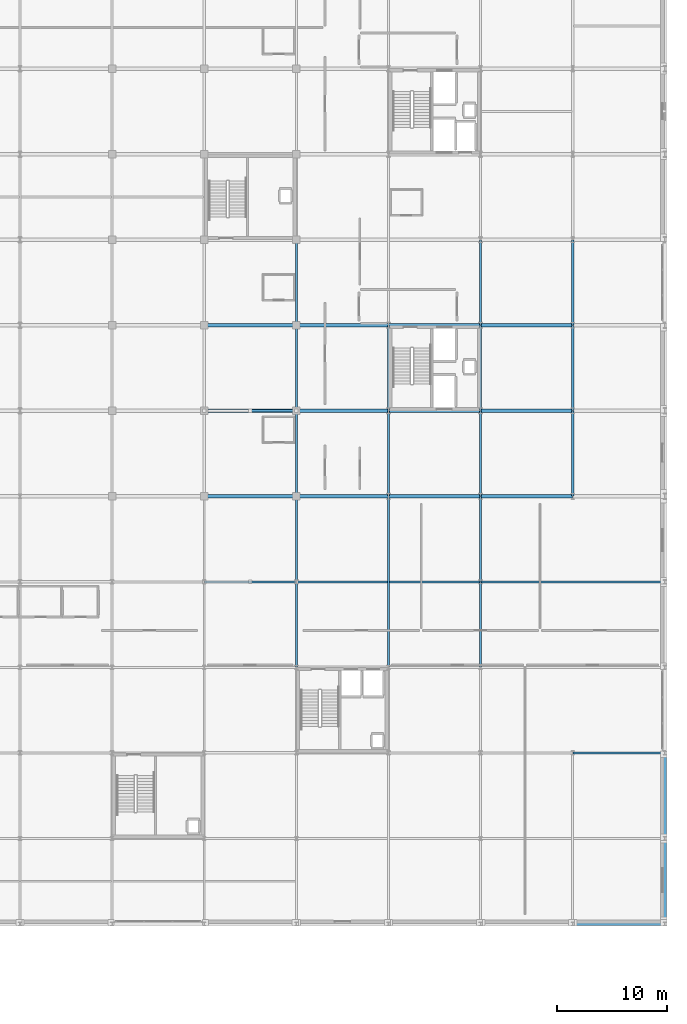
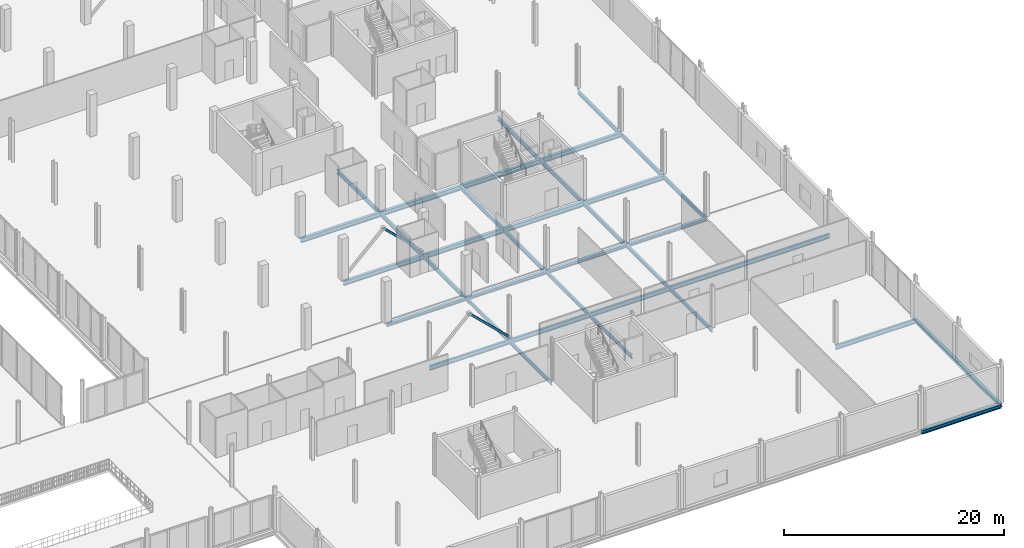
# One storey, part 51 of 98: 35 beams, 2 members.
"""IFC4 building model written with IfcOpenShell, lengths in metres."""

from ifc_helpers import new_model, si_unit, direction, frame, origin, origin_2d, place, context, subcontext, project, spatial, hollow_rectangle, i_section, extrude, material, material_profile, profile_set, type_object, element, save


model = new_model("IFC4")

# Units and contexts
model_context = context("Model", 3, precision=1e-05, world=origin(), true_north=direction((0.0, 1.0)))
body_context = subcontext(model_context, "Body", "Model", "MODEL_VIEW")
ifc_project = project(units=[si_unit("LENGTHUNIT", "METRE"), si_unit("AREAUNIT", "SQUARE_METRE"), si_unit("VOLUMEUNIT", "CUBIC_METRE"), si_unit("PLANEANGLEUNIT", "RADIAN"), si_unit("MASSUNIT", "GRAM", prefix="KILO")], contexts=[model_context])

# Site, building, storey
site_placement = place(None, origin())
site = spatial("IfcSite", under=ifc_project, at=site_placement, CompositionType="ELEMENT")
building_placement = place(site_placement, origin())
building = spatial("IfcBuilding", under=site, at=building_placement, Name="Nabrawat Pavilion Hospital", CompositionType="ELEMENT")
storey_placement = place(building_placement, frame((0.0, 0.0, 10.199951171875)))
storey = spatial("IfcBuildingStorey", under=building, at=storey_placement, Name="L02", CompositionType="ELEMENT", Elevation=10.199951171875)

# Members
ifc_material = material(Name="Steel S355", Category="steel")
ifc_material_profile_1 = material_profile(ifc_material, hollow_rectangle(XDim=0.199951171875, YDim=0.199951171875, WallThickness=0.012451171875, at=origin_2d()), Name="SHS 200x200x12.5")
ifc_profile_set_1 = profile_set([ifc_material_profile_1], Name="Steel S355")
member_type = type_object("IfcMemberType", Name="Mid Seismic Chevron Brace SHS 200x200x12.5", PredefinedType="BRACE", material=ifc_profile_set_1)
for number, where, z_axis, x_axis, name in (
    (1, (159.60009765625, 31.199951171875, 0.050048828125), (-0.719856242377, 0.0, 0.694123180934), (0.0, -1.0, 0.0), "L02 Seismic Concentric Chevron Brace 042"),
    (2, (159.60009765625, 46.800048828125, 0.050048828125), (-0.719856242377, 0.0, 0.694123180934), (0.0, -1.0, 0.0), "L02 Seismic Concentric Chevron Brace 054"),
):
    element("IfcMember", number, at=place(storey_placement, frame(where, z_axis=z_axis, x_axis=x_axis)), inside=storey, type_object=member_type, Name=name, PredefinedType="BRACE", context=body_context, shape_type="SweptSolid", body=[
        extrude(hollow_rectangle(XDim=0.199951171875, YDim=0.199951171875, WallThickness=0.012451171875, at=origin_2d()), origin(), (0.0, 0.0, 1.0), 5.834716796875),
    ])

# Beams
ifc_material_profile_2 = material_profile(ifc_material, i_section(OverallWidth=0.300048828125, OverallDepth=0.389892578125, WebThickness=0.010986328125, FlangeThickness=0.01904296875, FilletRadius=0.027099609375, at=origin_2d()), Name="HEA 400")
ifc_profile_set_2 = profile_set([ifc_material_profile_2], Name="Steel S355")
beam_type_1 = type_object("IfcBeamType", Name="Perimeter Moment Spandrel Beam HEA 400", PredefinedType="SPANDREL", material=ifc_profile_set_2)
beam_1_placement = place(storey_placement, frame((184.820068359375, 0.0, -0.425048828125), z_axis=(1.0, 0.0, 0.0), x_axis=(0.0, 1.0, 0.0)))
element("IfcBeam", 3, at=beam_1_placement, inside=storey, type_object=beam_type_1, Name="L02 Primary X Girder 941", PredefinedType="SPANDREL", context=body_context, shape_type="SweptSolid", body=[
    extrude(i_section(OverallWidth=0.300048828125, OverallDepth=0.389892578125, WebThickness=0.010986328125, FlangeThickness=0.01904296875, FilletRadius=0.027099609375, at=origin_2d()), origin(), (0.0, 0.0, 1.0), 8.35986328125),
])
for number, where, z_axis, x_axis, name in (
    (4, (193.199951171875, 0.02001953125, -0.425048828125), (0.0, 1.0, 0.0), (-1.0, 0.0, 0.0), "L02 Primary Y Beam 1389"),
    (5, (193.199951171875, 7.820068359375, -0.425048828125), (0.0, 1.0, 0.0), (-1.0, 0.0, 0.0), "L02 Primary Y Beam 1390"),
):
    element("IfcBeam", number, at=place(storey_placement, frame(where, z_axis=z_axis, x_axis=x_axis)), inside=storey, type_object=beam_type_1, Name=name, PredefinedType="SPANDREL", context=body_context, shape_type="SweptSolid", body=[
        extrude(i_section(OverallWidth=0.300048828125, OverallDepth=0.389892578125, WebThickness=0.010986328125, FlangeThickness=0.01904296875, FilletRadius=0.027099609375, at=origin_2d()), origin(), (0.0, 0.0, 1.0), 7.760009765625),
    ])
ifc_material_profile_3 = material_profile(ifc_material, i_section(OverallWidth=0.300048828125, OverallDepth=0.5, WebThickness=0.014404296875, FlangeThickness=0.028076171875, FilletRadius=0.027099609375, at=origin_2d()), Name="HEB 500")
ifc_profile_set_3 = profile_set([ifc_material_profile_3], Name="Steel S355")
beam_type_2 = type_object("IfcBeamType", Name="Primary Floor Girder HEB 500", PredefinedType="USERDEFINED", material=ifc_profile_set_3)
beam_2_placement = place(storey_placement, frame((151.219970703125, 46.800048828125, -0.5), z_axis=(1.0, 0.0, 0.0), x_axis=(0.0, 1.0, 0.0)))
element("IfcBeam", 6, at=beam_2_placement, inside=storey, type_object=beam_type_2, Name="L02 Primary X Girder 1021", ObjectType="GIRDER", PredefinedType="USERDEFINED", context=body_context, shape_type="SweptSolid", body=[
    extrude(i_section(OverallWidth=0.300048828125, OverallDepth=0.5, WebThickness=0.014404296875, FlangeThickness=0.028076171875, FilletRadius=0.027099609375, at=origin_2d()), origin(), (0.0, 0.0, 1.0), 8.360107421875),
])
for number, where, z_axis, x_axis, name in (
    (7, (159.6201171875, 46.800048828125, -0.5), (1.0, 0.0, 0.0), (0.0, 1.0, 0.0), "L02 Primary X Girder 1022"),
    (8, (168.02001953125, 46.800048828125, -0.5), (1.0, 0.0, 0.0), (0.0, 1.0, 0.0), "L02 Primary X Girder 1023"),
):
    element("IfcBeam", number, at=place(storey_placement, frame(where, z_axis=z_axis, x_axis=x_axis)), inside=storey, type_object=beam_type_2, Name=name, ObjectType="GIRDER", PredefinedType="USERDEFINED", context=body_context, shape_type="SweptSolid", body=[
        extrude(i_section(OverallWidth=0.300048828125, OverallDepth=0.5, WebThickness=0.014404296875, FlangeThickness=0.028076171875, FilletRadius=0.027099609375, at=origin_2d()), origin(), (0.0, 0.0, 1.0), 8.35986328125),
    ])
for number, where, z_axis, x_axis, name in (
    (9, (176.419921875, 46.800048828125, -0.5), (1.0, 0.0, 0.0), (0.0, 1.0, 0.0), "L02 Primary X Girder 1024"),
    (10, (151.219970703125, 54.60009765625, -0.5), (1.0, 0.0, 0.0), (0.0, 1.0, 0.0), "L02 Primary X Girder 1035"),
):
    element("IfcBeam", number, at=place(storey_placement, frame(where, z_axis=z_axis, x_axis=x_axis)), inside=storey, type_object=beam_type_2, Name=name, ObjectType="GIRDER", PredefinedType="USERDEFINED", context=body_context, shape_type="SweptSolid", body=[
        extrude(i_section(OverallWidth=0.300048828125, OverallDepth=0.5, WebThickness=0.014404296875, FlangeThickness=0.028076171875, FilletRadius=0.027099609375, at=origin_2d()), origin(), (0.0, 0.0, 1.0), 8.360107421875),
    ])
for number, where, z_axis, x_axis, name in (
    (11, (159.6201171875, 54.60009765625, -0.5), (1.0, 0.0, 0.0), (0.0, 1.0, 0.0), "L02 Primary X Girder 1036"),
    (12, (168.02001953125, 54.60009765625, -0.5), (1.0, 0.0, 0.0), (0.0, 1.0, 0.0), "L02 Primary X Girder 1037"),
):
    element("IfcBeam", number, at=place(storey_placement, frame(where, z_axis=z_axis, x_axis=x_axis)), inside=storey, type_object=beam_type_2, Name=name, ObjectType="GIRDER", PredefinedType="USERDEFINED", context=body_context, shape_type="SweptSolid", body=[
        extrude(i_section(OverallWidth=0.300048828125, OverallDepth=0.5, WebThickness=0.014404296875, FlangeThickness=0.028076171875, FilletRadius=0.027099609375, at=origin_2d()), origin(), (0.0, 0.0, 1.0), 8.35986328125),
    ])
beam_3_placement = place(storey_placement, frame((176.419921875, 54.60009765625, -0.5), z_axis=(1.0, 0.0, 0.0), x_axis=(0.0, 1.0, 0.0)))
element("IfcBeam", 13, at=beam_3_placement, inside=storey, type_object=beam_type_2, Name="L02 Primary X Girder 1038", ObjectType="GIRDER", PredefinedType="USERDEFINED", context=body_context, shape_type="SweptSolid", body=[
    extrude(i_section(OverallWidth=0.300048828125, OverallDepth=0.5, WebThickness=0.014404296875, FlangeThickness=0.028076171875, FilletRadius=0.027099609375, at=origin_2d()), origin(), (0.0, 0.0, 1.0), 8.360107421875),
])
ifc_material_profile_4 = material_profile(ifc_material, i_section(OverallWidth=0.18994140625, OverallDepth=0.449951171875, WebThickness=0.009521484375, FlangeThickness=0.0146484375, FilletRadius=0.02099609375, at=origin_2d()), Name="IPE 450")
ifc_profile_set_4 = profile_set([ifc_material_profile_4], Name="Steel S355")
beam_type_3 = type_object("IfcBeamType", Name="Primary Y Floor Beam IPE 450", PredefinedType="BEAM", material=ifc_profile_set_4)
for number, where, z_axis, x_axis, name in (
    (14, (159.60009765625, 39.02001953125, -0.474853515625), (0.0, 1.0, 0.0), (-1.0, 0.0, 0.0), "L02 Primary Y Beam 1345"),
    (15, (159.60009765625, 46.820068359375, -0.474853515625), (0.0, 1.0, 0.0), (-1.0, 0.0, 0.0), "L02 Primary Y Beam 1346"),
):
    element("IfcBeam", number, at=place(storey_placement, frame(where, z_axis=z_axis, x_axis=x_axis)), inside=storey, type_object=beam_type_3, Name=name, PredefinedType="BEAM", context=body_context, shape_type="SweptSolid", body=[
        extrude(i_section(OverallWidth=0.18994140625, OverallDepth=0.449951171875, WebThickness=0.009521484375, FlangeThickness=0.0146484375, FilletRadius=0.02099609375, at=origin_2d()), origin(), (0.0, 0.0, 1.0), 7.760009765625),
    ])
beam_4_placement = place(storey_placement, frame((159.60009765625, 54.6201171875, -0.474853515625), z_axis=(0.0, 1.0, 0.0), x_axis=(-1.0, 0.0, 0.0)))
element("IfcBeam", 16, at=beam_4_placement, inside=storey, type_object=beam_type_3, Name="L02 Primary Y Beam 1347", PredefinedType="BEAM", context=body_context, shape_type="SweptSolid", body=[
    extrude(i_section(OverallWidth=0.18994140625, OverallDepth=0.449951171875, WebThickness=0.009521484375, FlangeThickness=0.0146484375, FilletRadius=0.02099609375, at=origin_2d()), origin(), (0.0, 0.0, 1.0), 7.759765625),
])
for number, where, z_axis, x_axis, name in (
    (17, (168.0, 39.02001953125, -0.474853515625), (0.0, 1.0, 0.0), (-1.0, 0.0, 0.0), "L02 Primary Y Beam 1359"),
    (18, (168.0, 46.820068359375, -0.474853515625), (0.0, 1.0, 0.0), (-1.0, 0.0, 0.0), "L02 Primary Y Beam 1360"),
    (19, (176.39990234375, 39.02001953125, -0.474853515625), (0.0, 1.0, 0.0), (-1.0, 0.0, 0.0), "L02 Primary Y Beam 1370"),
    (20, (176.39990234375, 46.820068359375, -0.474853515625), (0.0, 1.0, 0.0), (-1.0, 0.0, 0.0), "L02 Primary Y Beam 1371"),
):
    element("IfcBeam", number, at=place(storey_placement, frame(where, z_axis=z_axis, x_axis=x_axis)), inside=storey, type_object=beam_type_3, Name=name, PredefinedType="BEAM", context=body_context, shape_type="SweptSolid", body=[
        extrude(i_section(OverallWidth=0.18994140625, OverallDepth=0.449951171875, WebThickness=0.009521484375, FlangeThickness=0.0146484375, FilletRadius=0.02099609375, at=origin_2d()), origin(), (0.0, 0.0, 1.0), 7.760009765625),
    ])
beam_5_placement = place(storey_placement, frame((176.39990234375, 54.6201171875, -0.474853515625), z_axis=(0.0, 1.0, 0.0), x_axis=(-1.0, 0.0, 0.0)))
element("IfcBeam", 21, at=beam_5_placement, inside=storey, type_object=beam_type_3, Name="L02 Primary Y Beam 1372", PredefinedType="BEAM", context=body_context, shape_type="SweptSolid", body=[
    extrude(i_section(OverallWidth=0.18994140625, OverallDepth=0.449951171875, WebThickness=0.009521484375, FlangeThickness=0.0146484375, FilletRadius=0.02099609375, at=origin_2d()), origin(), (0.0, 0.0, 1.0), 7.759765625),
])
for number, where, z_axis, x_axis, name in (
    (22, (184.800048828125, 39.02001953125, -0.474853515625), (0.0, 1.0, 0.0), (-1.0, 0.0, 0.0), "L02 Primary Y Beam 1382"),
    (23, (184.800048828125, 46.820068359375, -0.474853515625), (0.0, 1.0, 0.0), (-1.0, 0.0, 0.0), "L02 Primary Y Beam 1383"),
):
    element("IfcBeam", number, at=place(storey_placement, frame(where, z_axis=z_axis, x_axis=x_axis)), inside=storey, type_object=beam_type_3, Name=name, PredefinedType="BEAM", context=body_context, shape_type="SweptSolid", body=[
        extrude(i_section(OverallWidth=0.18994140625, OverallDepth=0.449951171875, WebThickness=0.009521484375, FlangeThickness=0.0146484375, FilletRadius=0.02099609375, at=origin_2d()), origin(), (0.0, 0.0, 1.0), 7.760009765625),
    ])
beam_6_placement = place(storey_placement, frame((184.800048828125, 54.6201171875, -0.474853515625), z_axis=(0.0, 1.0, 0.0), x_axis=(-1.0, 0.0, 0.0)))
element("IfcBeam", 24, at=beam_6_placement, inside=storey, type_object=beam_type_3, Name="L02 Primary Y Beam 1384", PredefinedType="BEAM", context=body_context, shape_type="SweptSolid", body=[
    extrude(i_section(OverallWidth=0.18994140625, OverallDepth=0.449951171875, WebThickness=0.009521484375, FlangeThickness=0.0146484375, FilletRadius=0.02099609375, at=origin_2d()), origin(), (0.0, 0.0, 1.0), 7.759765625),
])
ifc_material_profile_5 = material_profile(ifc_material, i_section(OverallWidth=0.199951171875, OverallDepth=0.5, WebThickness=0.01025390625, FlangeThickness=0.01611328125, FilletRadius=0.02099609375, at=origin_2d()), Name="IPE 500")
ifc_profile_set_5 = profile_set([ifc_material_profile_5], Name="Steel S355")
beam_type_4 = type_object("IfcBeamType", Name="Standard X Floor Girder IPE 500", PredefinedType="USERDEFINED", material=ifc_profile_set_5)
beam_7_placement = place(storey_placement, frame((184.820068359375, 15.60009765625, -0.47998046875), z_axis=(1.0, 0.0, 0.0), x_axis=(0.0, 1.0, 0.0)))
element("IfcBeam", 25, at=beam_7_placement, inside=storey, type_object=beam_type_4, Name="L02 Primary X Girder 970", ObjectType="GIRDER", PredefinedType="USERDEFINED", context=body_context, shape_type="SweptSolid", body=[
    extrude(i_section(OverallWidth=0.199951171875, OverallDepth=0.5, WebThickness=0.01025390625, FlangeThickness=0.01611328125, FilletRadius=0.02099609375, at=origin_2d()), origin(), (0.0, 0.0, 1.0), 8.35986328125),
])
beam_8_placement = place(storey_placement, frame((151.219970703125, 31.199951171875, -0.47998046875), z_axis=(1.0, 0.0, 0.0), x_axis=(0.0, 1.0, 0.0)))
element("IfcBeam", 26, at=beam_8_placement, inside=storey, type_object=beam_type_4, Name="L02 Primary X Girder 986", ObjectType="GIRDER", PredefinedType="USERDEFINED", context=body_context, shape_type="SweptSolid", body=[
    extrude(i_section(OverallWidth=0.199951171875, OverallDepth=0.5, WebThickness=0.01025390625, FlangeThickness=0.01611328125, FilletRadius=0.02099609375, at=origin_2d()), origin(), (0.0, 0.0, 1.0), 8.360107421875),
])
beam_9_placement = place(storey_placement, frame((159.6201171875, 31.199951171875, -0.47998046875), z_axis=(1.0, 0.0, 0.0), x_axis=(0.0, 1.0, 0.0)))
element("IfcBeam", 27, at=beam_9_placement, inside=storey, type_object=beam_type_4, Name="L02 Primary X Girder 987", ObjectType="GIRDER", PredefinedType="USERDEFINED", context=body_context, shape_type="SweptSolid", body=[
    extrude(i_section(OverallWidth=0.199951171875, OverallDepth=0.5, WebThickness=0.01025390625, FlangeThickness=0.01611328125, FilletRadius=0.02099609375, at=origin_2d()), origin(), (0.0, 0.0, 1.0), 16.759765625),
])
beam_10_placement = place(storey_placement, frame((176.419921875, 31.199951171875, -0.47998046875), z_axis=(1.0, 0.0, 0.0), x_axis=(0.0, 1.0, 0.0)))
element("IfcBeam", 28, at=beam_10_placement, inside=storey, type_object=beam_type_4, Name="L02 Primary X Girder 988", ObjectType="GIRDER", PredefinedType="USERDEFINED", context=body_context, shape_type="SweptSolid", body=[
    extrude(i_section(OverallWidth=0.199951171875, OverallDepth=0.5, WebThickness=0.01025390625, FlangeThickness=0.01611328125, FilletRadius=0.02099609375, at=origin_2d()), origin(), (0.0, 0.0, 1.0), 16.760009765625),
])
ifc_material_profile_6 = material_profile(ifc_material, i_section(OverallWidth=0.179931640625, OverallDepth=0.39990234375, WebThickness=0.008544921875, FlangeThickness=0.013427734375, FilletRadius=0.02099609375, at=origin_2d()), Name="IPE 400")
ifc_profile_set_6 = profile_set([ifc_material_profile_6], Name="Steel S355")
beam_type_5 = type_object("IfcBeamType", Name="Standard Y Floor Beam IPE 400", PredefinedType="BEAM", material=ifc_profile_set_6)
for number, where, z_axis, x_axis, name in (
    (29, (159.60009765625, 23.419921875, -0.429931640625), (0.0, 1.0, 0.0), (-1.0, 0.0, 0.0), "L02 Primary Y Beam 1343"),
    (30, (159.60009765625, 31.219970703125, -0.429931640625), (0.0, 1.0, 0.0), (-1.0, 0.0, 0.0), "L02 Primary Y Beam 1344"),
):
    element("IfcBeam", number, at=place(storey_placement, frame(where, z_axis=z_axis, x_axis=x_axis)), inside=storey, type_object=beam_type_5, Name=name, PredefinedType="BEAM", context=body_context, shape_type="SweptSolid", body=[
        extrude(i_section(OverallWidth=0.179931640625, OverallDepth=0.39990234375, WebThickness=0.008544921875, FlangeThickness=0.013427734375, FilletRadius=0.02099609375, at=origin_2d()), origin(), (0.0, 0.0, 1.0), 7.760009765625),
    ])
beam_11_placement = place(storey_placement, frame((168.0, 23.419921875, -0.429931640625), z_axis=(0.0, 1.0, 0.0), x_axis=(-1.0, 0.0, 0.0)))
element("IfcBeam", 31, at=beam_11_placement, inside=storey, type_object=beam_type_5, Name="L02 Primary Y Beam 1358", PredefinedType="BEAM", context=body_context, shape_type="SweptSolid", body=[
    extrude(i_section(OverallWidth=0.179931640625, OverallDepth=0.39990234375, WebThickness=0.008544921875, FlangeThickness=0.013427734375, FilletRadius=0.02099609375, at=origin_2d()), origin(), (0.0, 0.0, 1.0), 15.56005859375),
])
for number, where, z_axis, x_axis, name in (
    (32, (176.39990234375, 23.419921875, -0.429931640625), (0.0, 1.0, 0.0), (-1.0, 0.0, 0.0), "L02 Primary Y Beam 1368"),
    (33, (176.39990234375, 31.219970703125, -0.429931640625), (0.0, 1.0, 0.0), (-1.0, 0.0, 0.0), "L02 Primary Y Beam 1369"),
):
    element("IfcBeam", number, at=place(storey_placement, frame(where, z_axis=z_axis, x_axis=x_axis)), inside=storey, type_object=beam_type_5, Name=name, PredefinedType="BEAM", context=body_context, shape_type="SweptSolid", body=[
        extrude(i_section(OverallWidth=0.179931640625, OverallDepth=0.39990234375, WebThickness=0.008544921875, FlangeThickness=0.013427734375, FilletRadius=0.02099609375, at=origin_2d()), origin(), (0.0, 0.0, 1.0), 7.760009765625),
    ])
ifc_material_profile_7 = material_profile(ifc_material, i_section(OverallWidth=0.300048828125, OverallDepth=0.340087890625, WebThickness=0.011962890625, FlangeThickness=0.021484375, FilletRadius=0.027099609375, at=origin_2d()), Name="HEB 340")
ifc_profile_set_7 = profile_set([ifc_material_profile_7], Name="Steel S355")
beam_type_6 = type_object("IfcBeamType", Name="Ward Perimeter Spandrel Beam HEB 340", PredefinedType="SPANDREL", material=ifc_profile_set_7)
beam_12_placement = place(storey_placement, frame((151.219970703125, 39.0, -0.419921875), z_axis=(1.0, 0.0, 0.0), x_axis=(0.0, 1.0, 0.0)))
element("IfcBeam", 34, at=beam_12_placement, inside=storey, type_object=beam_type_6, Name="L02 Primary X Girder 1009", PredefinedType="SPANDREL", context=body_context, shape_type="SweptSolid", body=[
    extrude(i_section(OverallWidth=0.300048828125, OverallDepth=0.340087890625, WebThickness=0.011962890625, FlangeThickness=0.021484375, FilletRadius=0.027099609375, at=origin_2d()), origin(), (0.0, 0.0, 1.0), 8.360107421875),
])
for number, where, z_axis, x_axis, name in (
    (35, (159.6201171875, 39.0, -0.419921875), (1.0, 0.0, 0.0), (0.0, 1.0, 0.0), "L02 Primary X Girder 1010"),
    (36, (168.02001953125, 39.0, -0.419921875), (1.0, 0.0, 0.0), (0.0, 1.0, 0.0), "L02 Primary X Girder 1011"),
):
    element("IfcBeam", number, at=place(storey_placement, frame(where, z_axis=z_axis, x_axis=x_axis)), inside=storey, type_object=beam_type_6, Name=name, PredefinedType="SPANDREL", context=body_context, shape_type="SweptSolid", body=[
        extrude(i_section(OverallWidth=0.300048828125, OverallDepth=0.340087890625, WebThickness=0.011962890625, FlangeThickness=0.021484375, FilletRadius=0.027099609375, at=origin_2d()), origin(), (0.0, 0.0, 1.0), 8.35986328125),
    ])
beam_13_placement = place(storey_placement, frame((176.419921875, 39.0, -0.419921875), z_axis=(1.0, 0.0, 0.0), x_axis=(0.0, 1.0, 0.0)))
element("IfcBeam", 37, at=beam_13_placement, inside=storey, type_object=beam_type_6, Name="L02 Primary X Girder 1012", PredefinedType="SPANDREL", context=body_context, shape_type="SweptSolid", body=[
    extrude(i_section(OverallWidth=0.300048828125, OverallDepth=0.340087890625, WebThickness=0.011962890625, FlangeThickness=0.021484375, FilletRadius=0.027099609375, at=origin_2d()), origin(), (0.0, 0.0, 1.0), 8.360107421875),
])

save(model, "model.ifc")
